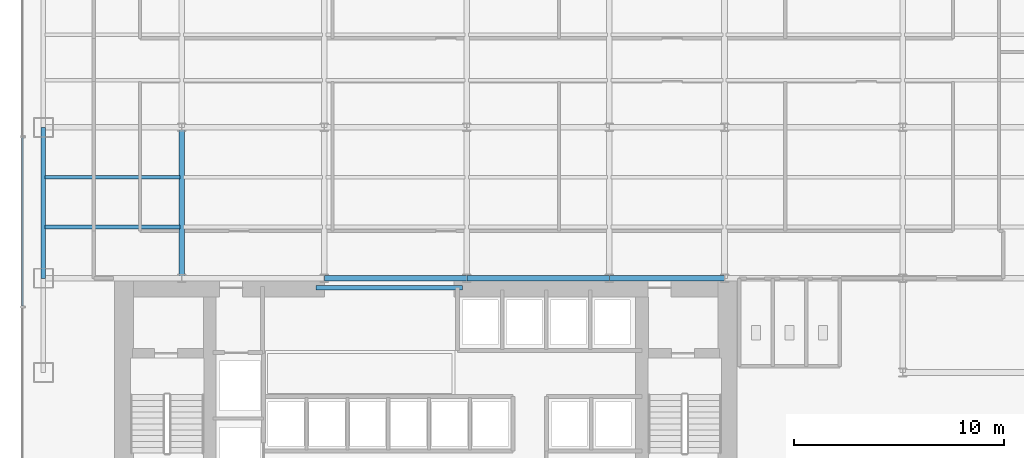
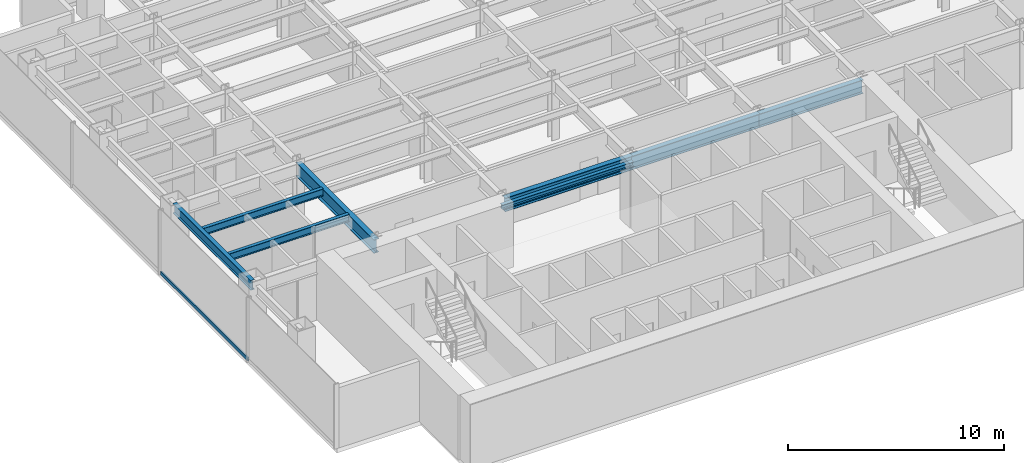
# One storey, part 3 of 22: 8 beams, 1 member, 1 element without a shape of its own.
"""IFC4 building model written with IfcOpenShell, lengths in metres."""

from ifc_helpers import new_model, si_unit, derived_unit, direction, frame, origin, origin_2d, place, context, subcontext, project, spatial, hollow_rectangle, i_section, extrude, source, transform, mapped, material, material_profile, profile_set, type_object, element, aggregate, save


model = new_model("IFC4")

# Units and contexts
model_context = context("Model", 3, precision=1e-05, world=origin(), true_north=direction((0.0, 1.0)))
body_context = subcontext(model_context, "Body", "Model", "MODEL_VIEW")
ifc_project = project(units=[si_unit("LENGTHUNIT", "METRE"), si_unit("AREAUNIT", "SQUARE_METRE"), si_unit("VOLUMEUNIT", "CUBIC_METRE"), si_unit("PLANEANGLEUNIT", "RADIAN"), si_unit("MASSUNIT", "GRAM", prefix="KILO"), derived_unit("THERMALTRANSMITTANCEUNIT", [(si_unit("POWERUNIT", "WATT"), 1), (si_unit("LENGTHUNIT", "METRE"), -2), (si_unit("THERMODYNAMICTEMPERATUREUNIT", "KELVIN"), -1)])], contexts=[model_context])

# Site, building, storey
site_placement = place(None, origin())
site = spatial("IfcSite", under=ifc_project, at=site_placement, CompositionType="ELEMENT")
building_placement = place(site_placement, origin())
building = spatial("IfcBuilding", under=site, at=building_placement, Name="Skarnbrae Concourse Arena and Tower", CompositionType="ELEMENT")
storey_placement = place(building_placement, frame((0.0, 0.0, 69.0)))
storey = spatial("IfcBuildingStorey", under=building, at=storey_placement, Name="L16", CompositionType="ELEMENT", Elevation=69.0)

# Beams
ifc_material_1 = material(Name="Steel CSA G40.21 350W", Category="steel")
ifc_material_profile_1 = material_profile(ifc_material_1, i_section(OverallWidth=0.202880859375, OverallDepth=0.251953125, WebThickness=0.008056640625, FlangeThickness=0.013427734375, at=origin_2d()), Name="W250X58")
ifc_profile_set_1 = profile_set([ifc_material_profile_1], Name="Steel CSA G40.21 350W")
beam_type_1 = type_object("IfcBeamType", Name="BM-LINTEL-W250X58", PredefinedType="LINTEL", material=ifc_profile_set_1)
shared_shape_1 = source(origin(), body_context, "Body", "SweptSolid", [
    extrude(i_section(OverallWidth=0.202880859375, OverallDepth=0.251953125, WebThickness=0.008056640625, FlangeThickness=0.013427734375, at=origin_2d()), origin(), (0.0, 0.0, 1.0), 7.0),
])
beam_1_placement = place(storey_placement, frame((14.0, 13.550048828125, 3.27392578125), z_axis=(1.0, 0.0, 0.0), x_axis=(0.0, 1.0, 0.0)))
element("IfcBeam", 1, at=beam_1_placement, inside=storey, type_object=beam_type_1, Name="L16 Core portal coupling lintel", PredefinedType="LINTEL", context=body_context, shape_type="MappedRepresentation", body=[
    mapped(shared_shape_1, transform((0.0, 0.0, 0.0))),
])
ifc_material_profile_2 = material_profile(ifc_material_1, i_section(OverallWidth=0.26806640625, OverallDepth=0.77001953125, WebThickness=0.015625, FlangeThickness=0.025390625, at=origin_2d()), Name="W760X196")
ifc_profile_set_2 = profile_set([ifc_material_profile_2], Name="Steel CSA G40.21 350W")
beam_type_2 = type_object("IfcBeamType", Name="BM-GIRD-W760X196", PredefinedType="BEAM", material=ifc_profile_set_2)
shared_shape_2 = source(origin(), body_context, "Body", "SweptSolid", [
    extrude(i_section(OverallWidth=0.26806640625, OverallDepth=0.77001953125, WebThickness=0.015625, FlangeThickness=0.025390625, at=origin_2d()), origin(), (0.0, 0.0, 1.0), 6.800048828125),
])
for number, where, z_axis, x_axis, name in (
    (2, (14.39990234375, 14.0, 3.014892578125), (1.0, 0.0, 0.0), (0.0, 1.0, 0.0), "L16 Primary E-W girder Y14.0-3"),
    (3, (21.199951171875, 14.0, 3.014892578125), (1.0, 0.0, 0.0), (0.0, 1.0, 0.0), "L16 Primary E-W girder Y14.0-4"),
):
    element("IfcBeam", number, at=place(storey_placement, frame(where, z_axis=z_axis, x_axis=x_axis)), inside=storey, type_object=beam_type_2, Name=name, PredefinedType="BEAM", context=body_context, shape_type="MappedRepresentation", body=[
        mapped(shared_shape_2, transform((0.0, 0.0, 0.0))),
    ])
shared_shape_3 = source(origin(), body_context, "Body", "SweptSolid", [
    extrude(i_section(OverallWidth=0.26806640625, OverallDepth=0.77001953125, WebThickness=0.015625, FlangeThickness=0.025390625, at=origin_2d()), origin(), (0.0, 0.0, 1.0), 5.5),
])
beam_2_placement = place(storey_placement, frame((28.0, 14.0, 3.014892578125), z_axis=(1.0, 0.0, 0.0), x_axis=(0.0, 1.0, 0.0)))
element("IfcBeam", 4, at=beam_2_placement, inside=storey, type_object=beam_type_2, Name="L16 Primary E-W girder Y14.0-5", PredefinedType="BEAM", context=body_context, shape_type="MappedRepresentation", body=[
    mapped(shared_shape_3, transform((0.0, 0.0, 0.0))),
])
ifc_material_profile_3 = material_profile(ifc_material_1, i_section(OverallWidth=0.214111328125, OverallDepth=0.549072265625, WebThickness=0.0146484375, FlangeThickness=0.023681640625, at=origin_2d()), Name="W530X138")
ifc_profile_set_3 = profile_set([ifc_material_profile_3], Name="Steel CSA G40.21 350W")
beam_type_3 = type_object("IfcBeamType", Name="BM-SPAN-W530X138", PredefinedType="SPANDREL", material=ifc_profile_set_3)
shared_shape_4 = source(origin(), body_context, "Body", "SweptSolid", [
    extrude(i_section(OverallWidth=0.214111328125, OverallDepth=0.549072265625, WebThickness=0.0146484375, FlangeThickness=0.023681640625, at=origin_2d()), origin(), (0.0, 0.0, 1.0), 7.199951171875),
])
beam_3_placement = place(storey_placement, frame((1.0, 14.0, 3.12548828125), z_axis=(0.0, 1.0, 0.0), x_axis=(-1.0, 0.0, 0.0)))
element("IfcBeam", 5, at=beam_3_placement, inside=storey, type_object=beam_type_3, Name="L16 Perimeter spandrel X1.0-2", PredefinedType="SPANDREL", context=body_context, shape_type="MappedRepresentation", body=[
    mapped(shared_shape_4, transform((0.0, 0.0, 0.0))),
])
shared_shape_5 = source(origin(), body_context, "Body", "SweptSolid", [
    extrude(i_section(OverallWidth=0.26806640625, OverallDepth=0.77001953125, WebThickness=0.015625, FlangeThickness=0.025390625, at=origin_2d()), origin(), (0.0, 0.0, 1.0), 7.199951171875),
])
beam_4_placement = place(storey_placement, frame((7.60009765625, 14.0, 3.014892578125), z_axis=(0.0, 1.0, 0.0), x_axis=(-1.0, 0.0, 0.0)))
element("IfcBeam", 6, at=beam_4_placement, inside=storey, type_object=beam_type_2, Name="L16 Primary N-S girder X7.6-1", PredefinedType="BEAM", context=body_context, shape_type="MappedRepresentation", body=[
    mapped(shared_shape_5, transform((0.0, 0.0, 0.0))),
])
ifc_material_profile_4 = material_profile(ifc_material_1, i_section(OverallWidth=0.180908203125, OverallDepth=0.4169921875, WebThickness=0.010986328125, FlangeThickness=0.018310546875, at=origin_2d()), Name="W410X85")
ifc_profile_set_4 = profile_set([ifc_material_profile_4], Name="Steel CSA G40.21 350W")
beam_type_4 = type_object("IfcBeamType", Name="BM-JOIST-W410X85", PredefinedType="JOIST", material=ifc_profile_set_4)
shared_shape_6 = source(origin(), body_context, "Body", "SweptSolid", [
    extrude(i_section(OverallWidth=0.180908203125, OverallDepth=0.4169921875, WebThickness=0.010986328125, FlangeThickness=0.018310546875, at=origin_2d()), origin(), (0.0, 0.0, 1.0), 6.43994140625),
])
for number, where, z_axis, x_axis, name in (
    (7, (1.080078125, 16.447998046875, 3.19140625), (1.0, 0.0, 0.0), (0.0, 1.0, 0.0), "L16 Secondary floor joist 1.1.1"),
    (8, (1.080078125, 18.823974609375, 3.19140625), (1.0, 0.0, 0.0), (0.0, 1.0, 0.0), "L16 Secondary floor joist 1.2.1"),
):
    element("IfcBeam", number, at=place(storey_placement, frame(where, z_axis=z_axis, x_axis=x_axis)), inside=storey, type_object=beam_type_4, Name=name, PredefinedType="JOIST", context=body_context, shape_type="MappedRepresentation", body=[
        mapped(shared_shape_6, transform((0.0, 0.0, 0.0))),
    ])

# Curtain wall, member
ifc_material_2 = material(Name="Bronze anodised aluminium 6063-T6", Category="aluminium")
curtain_wall_type = type_object("IfcCurtainWallType", Name="CW-SYS-02-LOWZONE", PredefinedType="USERDEFINED", material=ifc_material_2)
curtain_wall_placement = place(storey_placement, origin())
curtain_wall = element("IfcCurtainWall", 9, at=curtain_wall_placement, inside=storey, type_object=curtain_wall_type, Name="L16 Unitised curtain wall CW-L16-E19", ObjectType="UNITISED CURTAIN WALL", PredefinedType="USERDEFINED")
ifc_material_profile_5 = material_profile(ifc_material_2, hollow_rectangle(XDim=0.080078125, YDim=0.18994140625, WallThickness=0.0048828125, at=origin_2d()), Name="ALU-TRAN-80X190")
ifc_profile_set_5 = profile_set([ifc_material_profile_5], Name="Bronze anodised aluminium 6063-T6")
member_type = type_object("IfcMemberType", Name="CWT-CW-02", PredefinedType="USERDEFINED", material=ifc_profile_set_5)
shared_shape_7 = source(origin(), body_context, "Body", "SweptSolid", [
    extrude(hollow_rectangle(XDim=0.080078125, YDim=0.18994140625, WallThickness=0.0048828125, at=origin_2d()), origin(), (0.0, 0.0, 1.0), 8.044921875),
])
member_placement = place(storey_placement, frame((0.0, 20.7099609375, 0.094970703125), z_axis=(0.0, -1.0, 0.0), x_axis=(1.0, 0.0, 0.0)))
member = element("IfcMember", 10, at=member_placement, type_object=member_type, Name="CW-L16-E19 Transom 3", ObjectType="TRANSOM", PredefinedType="USERDEFINED", context=body_context, shape_type="MappedRepresentation", body=[
    mapped(shared_shape_7, transform((0.0, 0.0, 0.0))),
])
aggregate(curtain_wall, [member])

save(model, "model.ifc")
